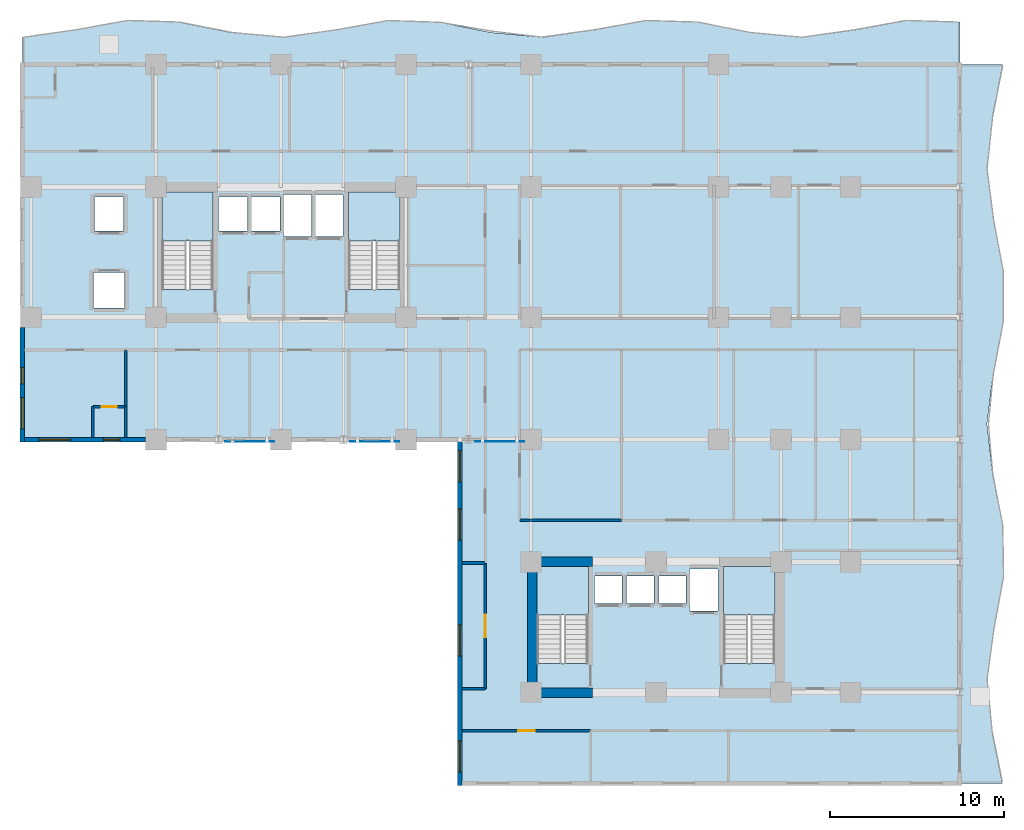
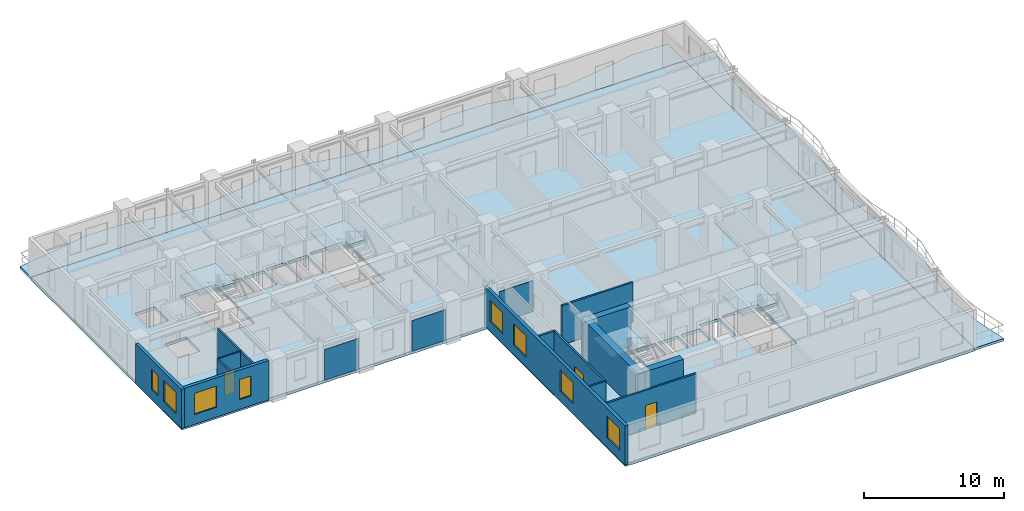
# One storey, part 2 of 11: 15 walls, 8 windows, 7 slabs, 3 doors, 3 plates, 11 openings, 4 elements without a shape of their own.
"""IFC4 building model written with IfcOpenShell, lengths in metres."""

from ifc_helpers import new_model, si_unit, direction, frame, frame_2d, origin, origin_2d, place, context, subcontext, project, spatial, polyline, rectangle, outline, extrude, source, transform, mapped, material, layer, layer_set, type_object, element, fill, aggregate, save


model = new_model("IFC4")

# Units and contexts
model_context = context("Model", 3, precision=1e-05, world=origin(), true_north=direction((0.0, 1.0)))
body_context = subcontext(model_context, "Body", "Model", "MODEL_VIEW")
ifc_project = project(units=[si_unit("LENGTHUNIT", "METRE"), si_unit("AREAUNIT", "SQUARE_METRE"), si_unit("VOLUMEUNIT", "CUBIC_METRE"), si_unit("PLANEANGLEUNIT", "RADIAN"), si_unit("MASSUNIT", "GRAM", prefix="KILO")], contexts=[model_context])

# Site, building, storey
site_placement = place(None, origin())
site = spatial("IfcSite", under=ifc_project, at=site_placement, CompositionType="ELEMENT")
building_placement = place(site_placement, origin())
building = spatial("IfcBuilding", under=site, at=building_placement, Name="Kaliganga Portal Commons", CompositionType="ELEMENT")
storey_placement = place(building_placement, frame((0.0, 0.0, 104.5)))
storey = spatial("IfcBuildingStorey", under=building, at=storey_placement, Name="L26", CompositionType="ELEMENT", Elevation=104.5)

# Slabs
ifc_material_1 = material(Name="Concrete C40/50", Category="concrete")
ifc_layer_1 = layer(ifc_material_1, 0.2099609375)
ifc_layer_set_1 = layer_set([ifc_layer_1], Name="Concrete C40/50")
slab_type_1 = type_object("IfcSlabType", Name="SLB-BALC-210", PredefinedType="FLOOR", material=ifc_layer_set_1)
slab_1_placement = place(storey_placement, frame((0.0, 0.0, -0.2099609375)))
element("IfcSlab", 1, at=slab_1_placement, inside=storey, type_object=slab_type_1, Name="Scalloped Tree-Planter Balcony Slab L26 balc_north", PredefinedType="FLOOR", context=body_context, shape_type="SweptSolid", body=[
    extrude(outline(polyline([(60.699951171875, 43.199951171875), (60.699951171875, 45.6484375), (57.699951171875, 45.74365234375), (54.699951171875, 45.201416015625), (51.699951171875, 44.77099609375), (48.699951171875, 45.04736328125), (45.699951171875, 45.6484375), (42.699951171875, 45.74365234375), (39.699951171875, 45.201416015625), (36.699951171875, 44.77099609375), (33.699951171875, 45.04736328125), (30.699951171875, 45.6484375), (27.699951171875, 45.74365234375), (24.699951171875, 45.201416015625), (21.699951171875, 44.77099609375), (18.699951171875, 45.04736328125), (15.699951171875, 45.6484375), (12.699951171875, 45.74365234375), (9.699951171875, 45.201416015625), (6.699951171875, 44.77099609375), (6.699951171875, 43.199951171875), (60.699951171875, 43.199951171875)])), origin(), (0.0, 0.0, 1.0), 0.2099609375),
])
slab_2_placement = place(storey_placement, frame((0.0, 0.0, -0.2099609375)))
element("IfcSlab", 2, at=slab_2_placement, inside=storey, type_object=slab_type_1, Name="Scalloped Tree-Planter Balcony Slab L26 balc_east", PredefinedType="FLOOR", context=body_context, shape_type="SweptSolid", body=[
    extrude(outline(polyline([(60.699951171875, 1.800048828125), (63.1484375, 1.800048828125), (62.5556640625, 4.757080078125), (62.2685546875, 7.71435546875), (62.674072265625, 10.67138671875), (63.2255859375, 13.628662109375), (63.1796875, 16.585693359375), (62.598388671875, 19.54296875), (62.264892578125, 22.5), (62.62890625, 25.45703125), (63.19970703125, 28.414306640625), (63.2080078125, 31.371337890625), (62.642333984375, 34.32861328125), (62.265625, 37.28564453125), (62.585205078125, 40.242919921875), (63.170654296875, 43.199951171875), (60.699951171875, 43.199951171875), (60.699951171875, 1.800048828125)])), origin(), (0.0, 0.0, 1.0), 0.2099609375),
])

# Stair, slab
stair_type = type_object("IfcStairType", Name="ST-CORE-DOGLEG", PredefinedType="HALF_TURN_STAIR", material=ifc_material_1)
stair_1_placement = place(storey_placement, origin())
stair_1 = element("IfcStair", 3, at=stair_1_placement, inside=storey, type_object=stair_type, Name="L26 Protected Exit Stair ST-A1", PredefinedType="HALF_TURN_STAIR")
ifc_layer_2 = layer(ifc_material_1, 0.199951171875)
ifc_layer_set_2 = layer_set([ifc_layer_2], Name="Concrete C40/50")
slab_type_2 = type_object("IfcSlabType", Name="SLB-STAIR-LND", PredefinedType="LANDING", material=ifc_layer_set_2)
slab_3_placement = place(storey_placement, frame((0.0, 0.0, 1.64990234375)))
slab_3 = element("IfcSlab", 4, at=slab_3_placement, type_object=slab_type_2, Name="ST-A1 landing 1", PredefinedType="LANDING", context=body_context, shape_type="SweptSolid", body=[
    extrude(outline(polyline([(17.699951171875, 33.050048828125), (17.699951171875, 35.85009765625), (14.75, 35.85009765625), (14.75, 33.050048828125), (17.699951171875, 33.050048828125)])), origin(), (0.0, 0.0, 1.0), 0.2001953125),
])
aggregate(stair_1, [slab_3])

stair_2_placement = place(storey_placement, origin())
stair_2 = element("IfcStair", 5, at=stair_2_placement, inside=storey, type_object=stair_type, Name="L26 Protected Exit Stair ST-A2", PredefinedType="HALF_TURN_STAIR")
slab_4_placement = place(storey_placement, frame((0.0, 0.0, 1.64990234375)))
slab_4 = element("IfcSlab", 6, at=slab_4_placement, type_object=slab_type_2, Name="ST-A2 landing 1", PredefinedType="LANDING", context=body_context, shape_type="SweptSolid", body=[
    extrude(outline(polyline([(28.449951171875, 33.050048828125), (28.449951171875, 35.85009765625), (25.5, 35.85009765625), (25.5, 33.050048828125), (28.449951171875, 33.050048828125)])), origin(), (0.0, 0.0, 1.0), 0.2001953125),
])
aggregate(stair_2, [slab_4])

stair_3_placement = place(storey_placement, origin())
stair_3 = element("IfcStair", 7, at=stair_3_placement, inside=storey, type_object=stair_type, Name="L26 Protected Exit Stair ST-B1", PredefinedType="HALF_TURN_STAIR")
slab_5_placement = place(storey_placement, frame((0.0, 0.0, 1.64990234375)))
slab_5 = element("IfcSlab", 8, at=slab_5_placement, type_object=slab_type_2, Name="ST-B1 landing 1", PredefinedType="LANDING", context=body_context, shape_type="SweptSolid", body=[
    extrude(outline(polyline([(39.300048828125, 11.5), (39.300048828125, 14.300048828125), (36.35009765625, 14.300048828125), (36.35009765625, 11.5), (39.300048828125, 11.5)])), origin(), (0.0, 0.0, 1.0), 0.2001953125),
])
aggregate(stair_3, [slab_5])

stair_4_placement = place(storey_placement, origin())
stair_4 = element("IfcStair", 9, at=stair_4_placement, inside=storey, type_object=stair_type, Name="L26 Protected Exit Stair ST-B2", PredefinedType="HALF_TURN_STAIR")
slab_6_placement = place(storey_placement, frame((0.0, 0.0, 1.64990234375)))
slab_6 = element("IfcSlab", 10, at=slab_6_placement, type_object=slab_type_2, Name="ST-B2 landing 1", PredefinedType="LANDING", context=body_context, shape_type="SweptSolid", body=[
    extrude(outline(polyline([(50.050048828125, 11.5), (50.050048828125, 14.300048828125), (47.10009765625, 14.300048828125), (47.10009765625, 11.5), (50.050048828125, 11.5)])), origin(), (0.0, 0.0, 1.0), 0.2001953125),
])
aggregate(stair_4, [slab_6])

# Slab
ifc_layer_3 = layer(ifc_material_1, 0.25)
ifc_layer_set_3 = layer_set([ifc_layer_3], Name="Concrete C40/50")
slab_type_3 = type_object("IfcSlabType", Name="SLB-TWR-250", PredefinedType="FLOOR", material=ifc_layer_set_3)
slab_7_placement = place(storey_placement, frame((0.0, 0.0, -0.25)))
element("IfcSlab", 11, at=slab_7_placement, inside=storey, type_object=slab_type_3, Name="Structural Floor Slab L26", PredefinedType="FLOOR", context=body_context, shape_type="SweptSolid", body=[
    extrude(outline(polyline([(31.89990234375, 1.800048828125), (60.699951171875, 1.800048828125), (60.699951171875, 43.199951171875), (6.699951171875, 43.199951171875), (6.699951171875, 21.60009765625), (31.89990234375, 21.60009765625), (31.89990234375, 1.800048828125)]), holes=[polyline([(14.75, 30.25390625), (14.75, 35.85009765625), (17.699951171875, 35.85009765625), (17.699951171875, 30.25390625), (14.75, 30.25390625)]), polyline([(25.5, 30.25390625), (25.5, 35.85009765625), (28.449951171875, 35.85009765625), (28.449951171875, 30.25390625), (25.5, 30.25390625)]), polyline([(36.35009765625, 8.7041015625), (36.35009765625, 14.300048828125), (39.300048828125, 14.300048828125), (39.300048828125, 8.7041015625), (36.35009765625, 8.7041015625)]), polyline([(47.10009765625, 8.7041015625), (47.10009765625, 14.300048828125), (50.050048828125, 14.300048828125), (50.050048828125, 8.7041015625), (47.10009765625, 8.7041015625)]), polyline([(18.014892578125, 33.614990234375), (18.014892578125, 35.5849609375), (19.68505859375, 35.5849609375), (19.68505859375, 33.614990234375), (18.014892578125, 33.614990234375)]), polyline([(19.864990234375, 33.614990234375), (19.864990234375, 35.5849609375), (21.534912109375, 35.5849609375), (21.534912109375, 33.614990234375), (19.864990234375, 33.614990234375)]), polyline([(10.81494140625, 29.18994140625), (10.81494140625, 31.2099609375), (12.5849609375, 31.2099609375), (12.5849609375, 29.18994140625), (10.81494140625, 29.18994140625)]), polyline([(10.864990234375, 33.614990234375), (10.864990234375, 35.5849609375), (12.534912109375, 35.5849609375), (12.534912109375, 33.614990234375), (10.864990234375, 33.614990234375)]), polyline([(21.739990234375, 33.2900390625), (21.739990234375, 35.7099609375), (23.360107421875, 35.7099609375), (23.360107421875, 33.2900390625), (21.739990234375, 33.2900390625)]), polyline([(23.5400390625, 33.2900390625), (23.5400390625, 35.7099609375), (25.159912109375, 35.7099609375), (25.159912109375, 33.2900390625), (23.5400390625, 33.2900390625)]), polyline([(39.6650390625, 12.1650390625), (39.6650390625, 13.735107421875), (41.235107421875, 13.735107421875), (41.235107421875, 12.1650390625), (39.6650390625, 12.1650390625)]), polyline([(41.514892578125, 12.1650390625), (41.514892578125, 13.735107421875), (43.0849609375, 13.735107421875), (43.0849609375, 12.1650390625), (41.514892578125, 12.1650390625)]), polyline([(43.364990234375, 12.1650390625), (43.364990234375, 13.735107421875), (44.93505859375, 13.735107421875), (44.93505859375, 12.1650390625), (43.364990234375, 12.1650390625)]), polyline([(45.139892578125, 11.739990234375), (45.139892578125, 14.159912109375), (46.760009765625, 14.159912109375), (46.760009765625, 11.739990234375), (45.139892578125, 11.739990234375)])]), origin(), (0.0, 0.0, 1.0), 0.25),
])

# Plates
ifc_material_2 = material(Name="Perforated Terracotta Monsoon Baguette Screen", Category="masonry")
ifc_layer_4 = layer(ifc_material_2, 0.034912109375)
ifc_layer_set_4 = layer_set([ifc_layer_4], Name="Perforated Terracotta Monsoon Baguette Screen")
plate_type = type_object("IfcPlateType", Name="PLT-CER-35", PredefinedType="USERDEFINED", material=ifc_layer_set_4)
shared_shape = source(origin(), body_context, "Body", "SweptSolid", [
    extrude(rectangle(XDim=2.800048828125, YDim=0.034912109375, at=origin_2d()), origin(), (0.0, 0.0, 1.0), 2.68994140625),
])
for number, where, z_axis, x_axis, name in (
    (12, (19.800048828125, 21.47998046875, 0.080078125), (0.0, 0.0, 1.0), (1.0, 0.0, 0.0), "Perforated Solar Screen L26-S1"),
    (13, (27.0, 21.47998046875, 0.080078125), (0.0, 0.0, 1.0), (1.0, 0.0, 0.0), "Perforated Solar Screen L26-S2"),
    (14, (34.199951171875, 21.47998046875, 0.080078125), (0.0, 0.0, 1.0), (1.0, 0.0, 0.0), "Perforated Solar Screen L26-S3"),
):
    element("IfcPlate", number, at=place(storey_placement, frame(where, z_axis=z_axis, x_axis=x_axis)), inside=storey, type_object=plate_type, Name=name, ObjectType="SOLAR SCREEN", PredefinedType="USERDEFINED", context=body_context, shape_type="MappedRepresentation", body=[
        mapped(shared_shape, transform((0.0, 0.0, 0.0), x_axis=(1.0, 0.0, 0.0), y_axis=(0.0, 1.0, 0.0), z_axis=(0.0, 0.0, 1.0), scale=1.0)),
    ])

# Walls
ifc_material_3 = material(Name="Concrete C60/75", Category="concrete")
ifc_layer_5 = layer(ifc_material_3, 0.550048828125)
ifc_layer_set_5 = layer_set([ifc_layer_5], Name="Concrete C60/75")
wall_type_1 = type_object("IfcWallType", Name="WL-CORE-550", PredefinedType="SHEAR", material=ifc_layer_set_5)
wall_1_placement = place(storey_placement, frame((36.074951171875, 6.75, 0.0), z_axis=(0.0, 0.0, 1.0), x_axis=(0.0, 1.0, 0.0)))
element("IfcWall", 15, at=wall_1_placement, inside=storey, type_object=wall_type_1, Name="Core B West Shear Wall L26", PredefinedType="SHEAR", context=body_context, shape_type="SweptSolid", body=[
    extrude(rectangle(XDim=8.10009765625, YDim=0.550048828125, at=frame_2d((4.050048828125, 0.0))), origin(), (0.0, 0.0, 1.0), 3.449951171875),
])
for number, where, z_axis, x_axis, name in (
    (16, (36.35009765625, 7.02490234375, 0.0), (0.0, 0.0, 1.0), (1.0, 0.0, 0.0), "Core B S-West Shear Wall L26"),
    (17, (36.35009765625, 14.574951171875, 0.0), (0.0, 0.0, 1.0), (1.0, 0.0, 0.0), "Core B N-West Shear Wall L26"),
):
    element("IfcWall", number, at=place(storey_placement, frame(where, z_axis=z_axis, x_axis=x_axis)), inside=storey, type_object=wall_type_1, Name=name, PredefinedType="SHEAR", context=body_context, shape_type="SweptSolid", body=[
        extrude(rectangle(XDim=3.199951171875, YDim=0.550048828125, at=frame_2d((1.60009765625, 0.0))), origin(), (0.0, 0.0, 1.0), 3.449951171875),
    ])

# Wall, openings, windows
ifc_material_4 = material(Name="Insulated Aluminium-Clad Spandrel Assembly", Category="aluminium")
ifc_layer_6 = layer(ifc_material_4, 0.260009765625)
ifc_layer_set_6 = layer_set([ifc_layer_6], Name="Insulated Aluminium-Clad Spandrel Assembly")
wall_type_2 = type_object("IfcWallType", Name="WL-EXT-SPAND-260", PredefinedType="STANDARD", material=ifc_layer_set_6)
wall_2_placement = place(storey_placement, frame((6.699951171875, 21.469970703125, 0.0), z_axis=(0.0, 0.0, 1.0), x_axis=(0.0, 1.0, 0.0)))
wall_2 = element("IfcWall", 18, at=wall_2_placement, inside=storey, type_object=wall_type_2, Name="Exterior Envelope Wall L26 P1-E03-S3", PredefinedType="STANDARD", context=body_context, shape_type="SweptSolid", body=[
    extrude(rectangle(XDim=6.5791015625, YDim=0.260009765625, at=frame_2d((3.28955078125, 0.0))), origin(), (0.0, 0.0, 1.0), 3.429931640625),
])
opening_1_placement = place(wall_2_placement, frame((0.744873046875, 0.0, 0.85009765625)))
opening_1 = element("IfcOpeningElement", 19, at=opening_1_placement, cuts=wall_2, Name="Opening W-01", PredefinedType="OPENING", context=body_context, shape_type="SweptSolid", body=[
    extrude(rectangle(XDim=1.800048828125, YDim=1.85009765625, at=frame_2d((0.89990234375, 0.925048828125))), frame((0.0, 0.14013671875, 0.0), z_axis=(0.0, -1.0, 0.0), x_axis=(1.0, 0.0, 0.0)), (0.0, 0.0, 1.0), 0.280029296875),
])
opening_2_placement = place(wall_2_placement, frame((3.3408203125, 0.0, 0.85009765625)))
opening_2 = element("IfcOpeningElement", 20, at=opening_2_placement, cuts=wall_2, Name="Opening W-04", PredefinedType="OPENING", context=body_context, shape_type="SweptSolid", body=[
    extrude(rectangle(XDim=0.949951171875, YDim=1.75, at=frame_2d((0.47509765625, 0.875))), frame((0.0, 0.14013671875, 0.0), z_axis=(0.0, -1.0, 0.0), x_axis=(1.0, 0.0, 0.0)), (0.0, 0.0, 1.0), 0.280029296875),
])
ifc_material_5 = material(Name="Thermally Broken Aluminium and Low-E Double Glazing", Category="aluminium")
window_type_1 = type_object("IfcWindowType", Name="WIN-NARROW-950", PartitioningType="SINGLE_PANEL", PredefinedType="WINDOW", material=ifc_material_5)
window_1_placement = place(opening_2_placement, origin())
window_1 = element("IfcWindow", 21, at=window_1_placement, inside=storey, type_object=window_type_1, Name="Facade Window L26-P1E03S3-N6", OverallHeight=1.75, OverallWidth=0.949951171875, PartitioningType="SINGLE_PANEL", PredefinedType="WINDOW", context=body_context, shape_type="SweptSolid", body=[
    extrude(rectangle(XDim=0.949951171875, YDim=1.75, at=frame_2d((0.47509765625, 0.875))), frame((0.0, 0.030029296875, 0.0), z_axis=(0.0, -1.0, 0.0), x_axis=(1.0, 0.0, 0.0)), (0.0, 0.0, 1.0), 0.06005859375),
])
fill(opening_2, window_1)
window_type_2 = type_object("IfcWindowType", Name="WIN-STD-1800", PartitioningType="DOUBLE_PANEL_VERTICAL", PredefinedType="WINDOW", material=ifc_material_5)
window_2_placement = place(opening_1_placement, origin())
window_2 = element("IfcWindow", 22, at=window_2_placement, inside=storey, type_object=window_type_2, Name="Facade Window L26-P1E03S3-00", OverallHeight=1.85009765625, OverallWidth=1.800048828125, PartitioningType="SINGLE_PANEL", PredefinedType="WINDOW", context=body_context, shape_type="SweptSolid", body=[
    extrude(rectangle(XDim=1.800048828125, YDim=1.85009765625, at=frame_2d((0.89990234375, 0.925048828125))), frame((0.0, 0.030029296875, 0.0), z_axis=(0.0, -1.0, 0.0), x_axis=(1.0, 0.0, 0.0)), (0.0, 0.0, 1.0), 0.06005859375),
])
fill(opening_1, window_2)

wall_3_placement = place(storey_placement, frame((13.799072265625, 21.60009765625, 0.0), z_axis=(0.0, 0.0, 1.0), x_axis=(-1.0, 0.0, 0.0)))
wall_3 = element("IfcWall", 23, at=wall_3_placement, inside=storey, type_object=wall_type_2, Name="Exterior Envelope Wall L26 P1-E04-S1", PredefinedType="STANDARD", context=body_context, shape_type="SweptSolid", body=[
    extrude(rectangle(XDim=6.964111328125, YDim=0.260009765625, at=frame_2d((3.48193359375, 0.0))), origin(), (0.0, 0.0, 1.0), 3.429931640625),
])
opening_3_placement = place(wall_3_placement, frame((4.322998046875, 0.0, 0.85009765625)))
opening_3 = element("IfcOpeningElement", 24, at=opening_3_placement, cuts=wall_3, Name="Opening W-01", PredefinedType="OPENING", context=body_context, shape_type="SweptSolid", body=[
    extrude(rectangle(XDim=1.800048828125, YDim=1.85009765625, at=frame_2d((0.89990234375, 0.925048828125))), frame((0.0, 0.14013671875, 0.0), z_axis=(0.0, -1.0, 0.0), x_axis=(1.0, 0.0, 0.0)), (0.0, 0.0, 1.0), 0.280029296875),
])
opening_4_placement = place(wall_3_placement, frame((1.474853515625, 0.0, 0.85009765625)))
opening_4 = element("IfcOpeningElement", 25, at=opening_4_placement, cuts=wall_3, Name="Opening W-04", PredefinedType="OPENING", context=body_context, shape_type="SweptSolid", body=[
    extrude(rectangle(XDim=0.949951171875, YDim=1.75, at=frame_2d((0.47509765625, 0.875))), frame((0.0, 0.14013671875, 0.0), z_axis=(0.0, -1.0, 0.0), x_axis=(1.0, 0.0, 0.0)), (0.0, 0.0, 1.0), 0.280029296875),
])
window_3_placement = place(opening_4_placement, origin())
window_3 = element("IfcWindow", 26, at=window_3_placement, inside=storey, type_object=window_type_1, Name="Facade Window L26-P1E04S1-N3", OverallHeight=1.75, OverallWidth=0.949951171875, PartitioningType="SINGLE_PANEL", PredefinedType="WINDOW", context=body_context, shape_type="SweptSolid", body=[
    extrude(rectangle(XDim=0.949951171875, YDim=1.75, at=frame_2d((0.47509765625, 0.875))), frame((0.0, 0.030029296875, 0.0), z_axis=(0.0, -1.0, 0.0), x_axis=(1.0, 0.0, 0.0)), (0.0, 0.0, 1.0), 0.06005859375),
])
fill(opening_4, window_3)
window_4_placement = place(opening_3_placement, origin())
window_4 = element("IfcWindow", 27, at=window_4_placement, inside=storey, type_object=window_type_2, Name="Facade Window L26-P1E04S1-01", OverallHeight=1.85009765625, OverallWidth=1.800048828125, PartitioningType="SINGLE_PANEL", PredefinedType="WINDOW", context=body_context, shape_type="SweptSolid", body=[
    extrude(rectangle(XDim=1.800048828125, YDim=1.85009765625, at=frame_2d((0.89990234375, 0.925048828125))), frame((0.0, 0.030029296875, 0.0), z_axis=(0.0, -1.0, 0.0), x_axis=(1.0, 0.0, 0.0)), (0.0, 0.0, 1.0), 0.06005859375),
])
fill(opening_3, window_4)

wall_4_placement = place(storey_placement, frame((31.89990234375, 1.669921875, 0.0), z_axis=(0.0, 0.0, 1.0), x_axis=(0.0, 1.0, 0.0)))
wall_4 = element("IfcWall", 28, at=wall_4_placement, inside=storey, type_object=wall_type_2, Name="Exterior Envelope Wall L26 P1-E05-S1", PredefinedType="STANDARD", context=body_context, shape_type="SweptSolid", body=[
    extrude(rectangle(XDim=20.06005859375, YDim=0.260009765625, at=frame_2d((10.030029296875, 0.0))), origin(), (0.0, 0.0, 1.0), 3.429931640625),
])
opening_5_placement = place(wall_4_placement, frame((0.771728515625, 0.0, 0.85009765625)))
opening_5 = element("IfcOpeningElement", 29, at=opening_5_placement, cuts=wall_4, Name="Opening W-01", PredefinedType="OPENING", context=body_context, shape_type="SweptSolid", body=[
    extrude(rectangle(XDim=1.800048828125, YDim=1.85009765625, at=frame_2d((0.89990234375, 0.925048828125))), frame((0.0, 0.14013671875, 0.0), z_axis=(0.0, -1.0, 0.0), x_axis=(1.0, 0.0, 0.0)), (0.0, 0.0, 1.0), 0.280029296875),
])
opening_6_placement = place(wall_4_placement, frame((7.458251953125, 0.0, 0.85009765625)))
opening_6 = element("IfcOpeningElement", 30, at=opening_6_placement, cuts=wall_4, Name="Opening W-01", PredefinedType="OPENING", context=body_context, shape_type="SweptSolid", body=[
    extrude(rectangle(XDim=1.800048828125, YDim=1.85009765625, at=frame_2d((0.89990234375, 0.925048828125))), frame((0.0, 0.14013671875, 0.0), z_axis=(0.0, -1.0, 0.0), x_axis=(1.0, 0.0, 0.0)), (0.0, 0.0, 1.0), 0.280029296875),
])
opening_7_placement = place(wall_4_placement, frame((14.14501953125, 0.0, 0.85009765625)))
opening_7 = element("IfcOpeningElement", 31, at=opening_7_placement, cuts=wall_4, Name="Opening W-01", PredefinedType="OPENING", context=body_context, shape_type="SweptSolid", body=[
    extrude(rectangle(XDim=1.800048828125, YDim=1.85009765625, at=frame_2d((0.89990234375, 0.925048828125))), frame((0.0, 0.14013671875, 0.0), z_axis=(0.0, -1.0, 0.0), x_axis=(1.0, 0.0, 0.0)), (0.0, 0.0, 1.0), 0.280029296875),
])
opening_8_placement = place(wall_4_placement, frame((17.48828125, 0.0, 0.85009765625)))
opening_8 = element("IfcOpeningElement", 32, at=opening_8_placement, cuts=wall_4, Name="Opening W-01", PredefinedType="OPENING", context=body_context, shape_type="SweptSolid", body=[
    extrude(rectangle(XDim=1.800048828125, YDim=1.85009765625, at=frame_2d((0.89990234375, 0.925048828125))), frame((0.0, 0.14013671875, 0.0), z_axis=(0.0, -1.0, 0.0), x_axis=(1.0, 0.0, 0.0)), (0.0, 0.0, 1.0), 0.280029296875),
])
window_5_placement = place(opening_5_placement, origin())
window_5 = element("IfcWindow", 33, at=window_5_placement, inside=storey, type_object=window_type_2, Name="Facade Window L26-P1E05S1-00", OverallHeight=1.85009765625, OverallWidth=1.800048828125, PartitioningType="SINGLE_PANEL", PredefinedType="WINDOW", context=body_context, shape_type="SweptSolid", body=[
    extrude(rectangle(XDim=1.800048828125, YDim=1.85009765625, at=frame_2d((0.89990234375, 0.925048828125))), frame((0.0, 0.030029296875, 0.0), z_axis=(0.0, -1.0, 0.0), x_axis=(1.0, 0.0, 0.0)), (0.0, 0.0, 1.0), 0.06005859375),
])
fill(opening_5, window_5)
window_6_placement = place(opening_6_placement, origin())
window_6 = element("IfcWindow", 34, at=window_6_placement, inside=storey, type_object=window_type_2, Name="Facade Window L26-P1E05S1-02", OverallHeight=1.85009765625, OverallWidth=1.800048828125, PartitioningType="SINGLE_PANEL", PredefinedType="WINDOW", context=body_context, shape_type="SweptSolid", body=[
    extrude(rectangle(XDim=1.800048828125, YDim=1.85009765625, at=frame_2d((0.89990234375, 0.925048828125))), frame((0.0, 0.030029296875, 0.0), z_axis=(0.0, -1.0, 0.0), x_axis=(1.0, 0.0, 0.0)), (0.0, 0.0, 1.0), 0.06005859375),
])
fill(opening_6, window_6)
window_7_placement = place(opening_7_placement, origin())
window_7 = element("IfcWindow", 35, at=window_7_placement, inside=storey, type_object=window_type_2, Name="Facade Window L26-P1E05S1-04", OverallHeight=1.85009765625, OverallWidth=1.800048828125, PartitioningType="SINGLE_PANEL", PredefinedType="WINDOW", context=body_context, shape_type="SweptSolid", body=[
    extrude(rectangle(XDim=1.800048828125, YDim=1.85009765625, at=frame_2d((0.89990234375, 0.925048828125))), frame((0.0, 0.030029296875, 0.0), z_axis=(0.0, -1.0, 0.0), x_axis=(1.0, 0.0, 0.0)), (0.0, 0.0, 1.0), 0.06005859375),
])
fill(opening_7, window_7)
window_8_placement = place(opening_8_placement, origin())
window_8 = element("IfcWindow", 36, at=window_8_placement, inside=storey, type_object=window_type_2, Name="Facade Window L26-P1E05S1-05", OverallHeight=1.85009765625, OverallWidth=1.800048828125, PartitioningType="SINGLE_PANEL", PredefinedType="WINDOW", context=body_context, shape_type="SweptSolid", body=[
    extrude(rectangle(XDim=1.800048828125, YDim=1.85009765625, at=frame_2d((0.89990234375, 0.925048828125))), frame((0.0, 0.030029296875, 0.0), z_axis=(0.0, -1.0, 0.0), x_axis=(1.0, 0.0, 0.0)), (0.0, 0.0, 1.0), 0.06005859375),
])
fill(opening_8, window_8)

# Wall, opening, door
ifc_material_6 = material(Name="Fire-Rated Gypsum Board on Steel Stud", Category="steel")
ifc_layer_7 = layer(ifc_material_6, 0.14990234375)
ifc_layer_set_7 = layer_set([ifc_layer_7], Name="Fire-Rated Gypsum Board on Steel Stud")
wall_type_3 = type_object("IfcWallType", Name="WL-PART-CORR-150", PredefinedType="PARTITIONING", material=ifc_layer_set_7)
wall_5_placement = place(storey_placement, frame((32.031982421875, 4.840087890625, 0.0), z_axis=(0.0, 0.0, 1.0), x_axis=(1.0, 0.0, 0.0)))
wall_5 = element("IfcWall", 37, at=wall_5_placement, inside=storey, type_object=wall_type_3, Name="Interior Partition L26-019", PredefinedType="PARTITIONING", context=body_context, shape_type="SweptSolid", body=[
    extrude(rectangle(XDim=7.407958984375, YDim=0.14990234375, at=frame_2d((3.7041015625, 0.0))), origin(), (0.0, 0.0, 1.0), 3.429931640625),
])
opening_9_placement = place(wall_5_placement, frame((3.22900390625, 0.0, 0.0)))
opening_9 = element("IfcOpeningElement", 38, at=opening_9_placement, cuts=wall_5, Name="Opening UD-01", PredefinedType="OPENING", context=body_context, shape_type="SweptSolid", body=[
    extrude(rectangle(XDim=0.949951171875, YDim=2.10009765625, at=frame_2d((0.47509765625, 1.050048828125))), frame((0.0, 0.0849609375, 0.0), z_axis=(0.0, -1.0, 0.0), x_axis=(1.0, 0.0, 0.0)), (0.0, 0.0, 1.0), 0.169921875),
])
ifc_material_7 = material(Name="Solid-Core Timber Acoustic Fire Door", Category="wood")
door_type_1 = type_object("IfcDoorType", Name="DR-UNIT-950", OperationType="NOTDEFINED", PredefinedType="DOOR", material=ifc_material_7)
door_1_placement = place(opening_9_placement, origin())
door_1 = element("IfcDoor", 39, at=door_1_placement, inside=storey, type_object=door_type_1, Name="Interior Door L26-BS01", OperationType="SINGLE_SWING_LEFT", OverallHeight=2.10009765625, OverallWidth=0.949951171875, PredefinedType="DOOR", context=body_context, shape_type="SweptSolid", body=[
    extrude(rectangle(XDim=0.949951171875, YDim=2.10009765625, at=frame_2d((0.47509765625, 1.050048828125))), frame((0.0, 0.02490234375, 0.0), z_axis=(0.0, -1.0, 0.0), x_axis=(1.0, 0.0, 0.0)), (0.0, 0.0, 1.0), 0.050048828125),
])
fill(opening_9, door_1)

wall_6_placement = place(storey_placement, frame((33.360107421875, 7.239990234375, 0.0), z_axis=(0.0, 0.0, 1.0), x_axis=(0.0, 1.0, 0.0)))
wall_6 = element("IfcWall", 40, at=wall_6_placement, inside=storey, type_object=wall_type_3, Name="Interior Partition L26-021", PredefinedType="PARTITIONING", context=body_context, shape_type="SweptSolid", body=[
    extrude(rectangle(XDim=7.260009765625, YDim=0.14990234375, at=frame_2d((3.6298828125, 0.0))), origin(), (0.0, 0.0, 1.0), 3.429931640625),
])
opening_10_placement = place(wall_6_placement, frame((2.97998046875, 0.0, 0.0)))
opening_10 = element("IfcOpeningElement", 41, at=opening_10_placement, cuts=wall_6, Name="Opening RD-03", PredefinedType="OPENING", context=body_context, shape_type="SweptSolid", body=[
    extrude(rectangle(XDim=1.300048828125, YDim=2.1201171875, at=frame_2d((0.64990234375, 1.06005859375))), frame((0.0, 0.0849609375, 0.0), z_axis=(0.0, -1.0, 0.0), x_axis=(1.0, 0.0, 0.0)), (0.0, 0.0, 1.0), 0.169921875),
])
ifc_material_8 = material(Name="Glazed Timber Seminar Vision Door", Category="wood")
door_type_2 = type_object("IfcDoorType", Name="DR-STUDY-1300", OperationType="DOUBLE_DOOR_SINGLE_SWING", PredefinedType="DOOR", material=ifc_material_8)
door_2_placement = place(opening_10_placement, origin())
door_2 = element("IfcDoor", 42, at=door_2_placement, inside=storey, type_object=door_type_2, Name="Interior Door L26-KW01", OperationType="DOUBLE_DOOR_SINGLE_SWING", OverallHeight=2.1201171875, OverallWidth=1.300048828125, PredefinedType="DOOR", context=body_context, shape_type="SweptSolid", body=[
    extrude(rectangle(XDim=1.300048828125, YDim=2.1201171875, at=frame_2d((0.64990234375, 1.06005859375))), frame((0.0, 0.02490234375, 0.0), z_axis=(0.0, -1.0, 0.0), x_axis=(1.0, 0.0, 0.0)), (0.0, 0.0, 1.0), 0.050048828125),
])
fill(opening_10, door_2)

# Walls
wall_7_placement = place(storey_placement, frame((35.360107421875, 16.9599609375, 0.0), z_axis=(0.0, 0.0, 1.0), x_axis=(1.0, 0.0, 0.0)))
element("IfcWall", 43, at=wall_7_placement, inside=storey, type_object=wall_type_3, Name="Interior Partition L26-026", PredefinedType="PARTITIONING", context=body_context, shape_type="SweptSolid", body=[
    extrude(rectangle(XDim=5.85986328125, YDim=0.14990234375, at=frame_2d((2.929931640625, 0.0))), origin(), (0.0, 0.0, 1.0), 3.429931640625),
])
wall_8_placement = place(storey_placement, frame((32.031982421875, 7.239990234375, 0.0), z_axis=(0.0, 0.0, 1.0), x_axis=(1.0, 0.0, 0.0)))
element("IfcWall", 44, at=wall_8_placement, inside=storey, type_object=wall_type_3, Name="Interior Partition L26-047", PredefinedType="PARTITIONING", context=body_context, shape_type="SweptSolid", body=[
    extrude(rectangle(XDim=1.328125, YDim=0.14990234375, at=frame_2d((0.6640625, 0.0))), origin(), (0.0, 0.0, 1.0), 3.429931640625),
])
ifc_material_9 = material(Name="Twin-Stud Acoustic Gypsum Partition", Category="gypsum")
ifc_layer_8 = layer(ifc_material_9, 0.1650390625)
ifc_layer_set_8 = layer_set([ifc_layer_8], Name="Twin-Stud Acoustic Gypsum Partition")
wall_type_4 = type_object("IfcWallType", Name="WL-PART-UNIT-165", PredefinedType="PARTITIONING", material=ifc_layer_set_8)
wall_9_placement = place(storey_placement, frame((12.659912109375, 23.5, 0.0), z_axis=(0.0, 0.0, 1.0), x_axis=(0.0, 1.0, 0.0)))
element("IfcWall", 45, at=wall_9_placement, inside=storey, type_object=wall_type_4, Name="Interior Partition L26-075", PredefinedType="PARTITIONING", context=body_context, shape_type="SweptSolid", body=[
    extrude(rectangle(XDim=3.260009765625, YDim=0.1650390625, at=frame_2d((1.6298828125, 0.0))), origin(), (0.0, 0.0, 1.0), 3.429931640625),
])
wall_10_placement = place(storey_placement, frame((32.031982421875, 14.5, 0.0), z_axis=(0.0, 0.0, 1.0), x_axis=(1.0, 0.0, 0.0)))
element("IfcWall", 46, at=wall_10_placement, inside=storey, type_object=wall_type_4, Name="Interior Partition L26-080", PredefinedType="PARTITIONING", context=body_context, shape_type="SweptSolid", body=[
    extrude(rectangle(XDim=1.328125, YDim=0.1650390625, at=frame_2d((0.6640625, 0.0))), origin(), (0.0, 0.0, 1.0), 3.429931640625),
])

# Wall, opening, door
ifc_material_10 = material(Name="Cement-Board Wet-Room Partition", Category="gypsum")
ifc_layer_9 = layer(ifc_material_10, 0.135009765625)
ifc_layer_set_9 = layer_set([ifc_layer_9], Name="Cement-Board Wet-Room Partition")
wall_type_5 = type_object("IfcWallType", Name="WL-PART-WET-135", PredefinedType="PARTITIONING", material=ifc_layer_set_9)
wall_11_placement = place(storey_placement, frame((10.760009765625, 23.5, 0.0), z_axis=(0.0, 0.0, 1.0), x_axis=(1.0, 0.0, 0.0)))
wall_11 = element("IfcWall", 47, at=wall_11_placement, inside=storey, type_object=wall_type_5, Name="Interior Partition L26-002", PredefinedType="PARTITIONING", context=body_context, shape_type="SweptSolid", body=[
    extrude(rectangle(XDim=1.89990234375, YDim=0.135009765625, at=frame_2d((0.949951171875, 0.0))), origin(), (0.0, 0.0, 1.0), 3.429931640625),
])
opening_11_placement = place(wall_11_placement, frame((0.52490234375, 0.0, 0.0)))
opening_11 = element("IfcOpeningElement", 48, at=opening_11_placement, cuts=wall_11, Name="Opening WD-01", PredefinedType="OPENING", context=body_context, shape_type="SweptSolid", body=[
    extrude(rectangle(XDim=0.85009765625, YDim=2.0400390625, at=frame_2d((0.425048828125, 1.02001953125))), frame((0.0, 0.07763671875, 0.0), z_axis=(0.0, -1.0, 0.0), x_axis=(1.0, 0.0, 0.0)), (0.0, 0.0, 1.0), 0.155029296875),
])
ifc_material_11 = material(Name="Moisture-Resistant Laminate Timber Door", Category="wood")
door_type_3 = type_object("IfcDoorType", Name="DR-WET-850", OperationType="NOTDEFINED", PredefinedType="DOOR", material=ifc_material_11)
door_3_placement = place(opening_11_placement, origin())
door_3 = element("IfcDoor", 49, at=door_3_placement, inside=storey, type_object=door_type_3, Name="Interior Door L26-AS01E", OperationType="SINGLE_SWING_RIGHT", OverallHeight=2.0400390625, OverallWidth=0.85009765625, PredefinedType="DOOR", context=body_context, shape_type="SweptSolid", body=[
    extrude(rectangle(XDim=0.85009765625, YDim=2.0400390625, at=frame_2d((0.425048828125, 1.02001953125))), frame((0.0, 0.02490234375, 0.0), z_axis=(0.0, -1.0, 0.0), x_axis=(1.0, 0.0, 0.0)), (0.0, 0.0, 1.0), 0.050048828125),
])
fill(opening_11, door_3)

# Walls
for number, where, z_axis, x_axis, name in (
    (50, (10.760009765625, 21.73193359375, 0.0), (0.0, 0.0, 1.0), (0.0, 1.0, 0.0), "Interior Partition L26-004"),
    (51, (12.659912109375, 21.73193359375, 0.0), (0.0, 0.0, 1.0), (0.0, 1.0, 0.0), "Interior Partition L26-005"),
):
    element("IfcWall", number, at=place(storey_placement, frame(where, z_axis=z_axis, x_axis=x_axis)), inside=storey, type_object=wall_type_5, Name=name, PredefinedType="PARTITIONING", context=body_context, shape_type="SweptSolid", body=[
        extrude(rectangle(XDim=1.76806640625, YDim=0.135009765625, at=frame_2d((0.884033203125, 0.0))), origin(), (0.0, 0.0, 1.0), 3.429931640625),
    ])

save(model, "model.ifc")
